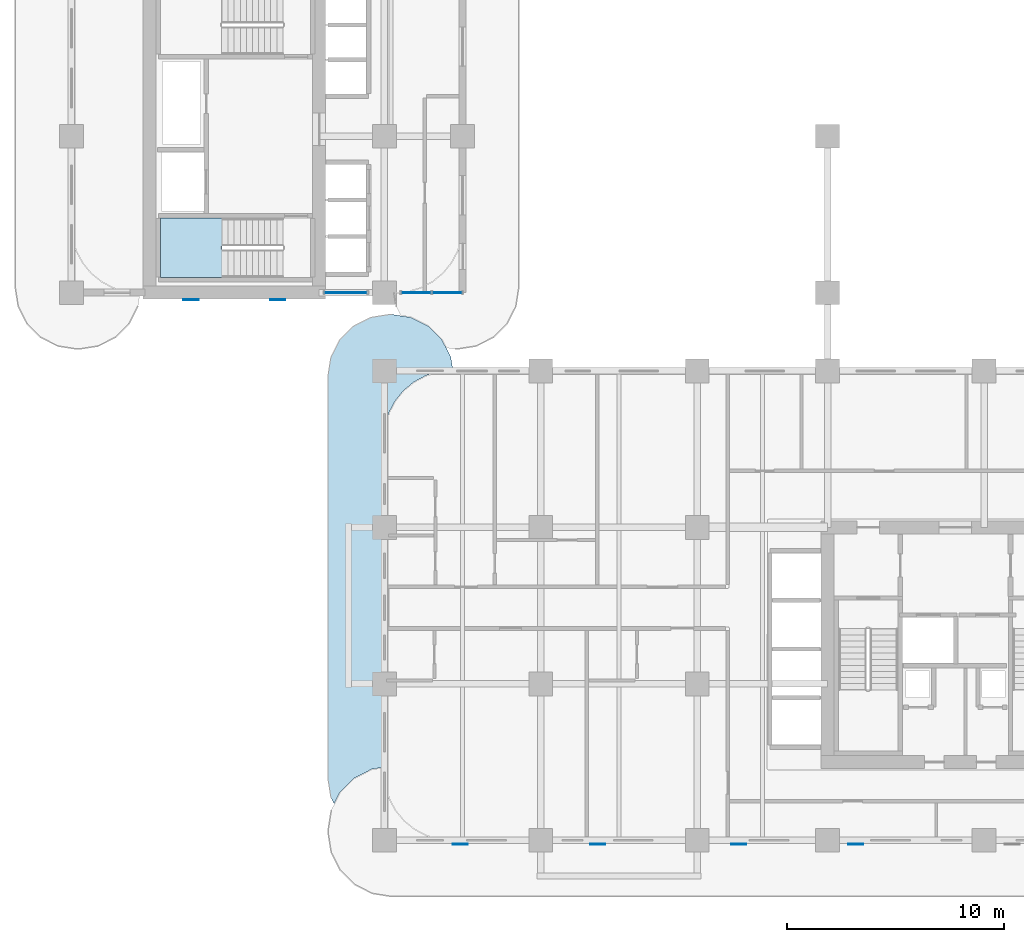
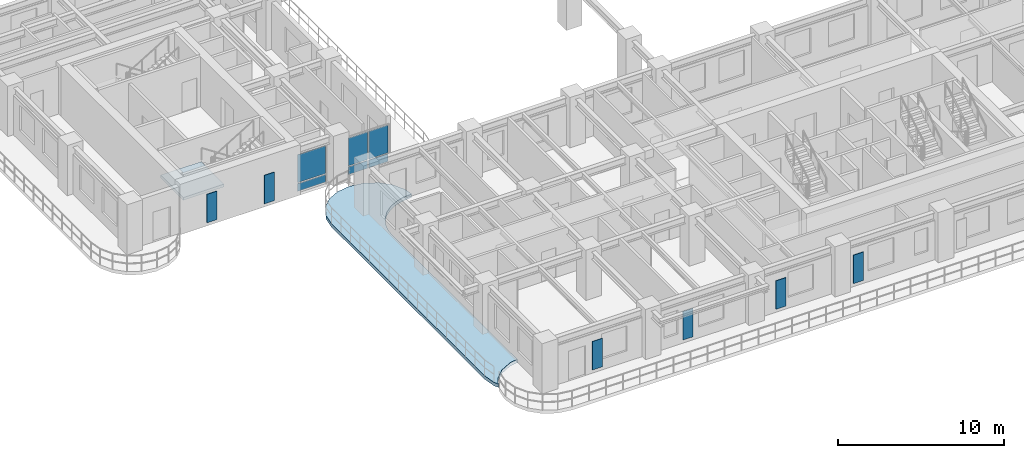
# One storey, part 4 of 19: 12 plates, 2 slabs, 3 elements without a shape of their own.
"""IFC4 building model written with IfcOpenShell, lengths in metres."""

from ifc_helpers import new_model, si_unit, derived_unit, direction, frame, origin, origin_2d, place, context, subcontext, project, spatial, polyline, rectangle, outline, extrude, source, transform, mapped, material, layer, layer_set, type_object, type_shapes, element, aggregate, save


model = new_model("IFC4")

# Units and contexts
model_context = context("Model", 3, precision=1e-05, world=origin(), true_north=direction((0.0, 1.0)))
body_context = subcontext(model_context, "Body", "Model", "MODEL_VIEW")
ifc_project = project(units=[si_unit("LENGTHUNIT", "METRE"), si_unit("AREAUNIT", "SQUARE_METRE"), si_unit("VOLUMEUNIT", "CUBIC_METRE"), si_unit("PLANEANGLEUNIT", "RADIAN"), si_unit("MASSUNIT", "GRAM", prefix="KILO"), si_unit("THERMODYNAMICTEMPERATUREUNIT", "KELVIN"), si_unit("POWERUNIT", "WATT"), derived_unit("THERMALTRANSMITTANCEUNIT", [(si_unit("POWERUNIT", "WATT"), 1), (si_unit("AREAUNIT", "SQUARE_METRE"), -1), (si_unit("THERMODYNAMICTEMPERATUREUNIT", "KELVIN"), -1)])], contexts=[model_context])

# Site, building, storey
site_placement = place(None, origin())
site = spatial("IfcSite", under=ifc_project, at=site_placement, CompositionType="ELEMENT")
building_placement = place(site_placement, origin())
building = spatial("IfcBuilding", under=site, at=building_placement, Name="Zahravan Archway Hotel and Residences", CompositionType="ELEMENT")
storey_placement = place(building_placement, frame((0.0, 0.0, 39.800048828125)))
storey = spatial("IfcBuildingStorey", under=building, at=storey_placement, Name="L08", CompositionType="ELEMENT", Elevation=39.800048828125)

# Slab
ifc_material_1 = material(Name="Concrete C45/55", Category="concrete")
ifc_layer_1 = layer(ifc_material_1, 0.25, Name="Concrete C45/55", Category="concrete")
ifc_layer_set_1 = layer_set([ifc_layer_1], Name="Concrete C45/55")
slab_type_1 = type_object("IfcSlabType", Name="SLB-BALC-250", PredefinedType="FLOOR", material=ifc_layer_set_1)
slab_1_placement = place(storey_placement, frame((0.0, 0.0, -0.25)))
element("IfcSlab", 1, at=slab_1_placement, inside=storey, type_object=slab_type_1, Name="L08 Wing A West Rounded Balcony Band", PredefinedType="FLOOR", context=body_context, shape_type="SweptSolid", body=[
    extrude(outline(polyline([(11.939453125, 1.96923828125), (11.800048828125, 2.85009765625), (11.800048828125, 21.35009765625), (11.939453125, 22.230712890625), (12.34423828125, 23.025146484375), (12.974853515625, 23.65576171875), (13.769287109375, 24.060546875), (14.64990234375, 24.199951171875), (14.75, 24.199951171875), (15.630615234375, 24.060546875), (16.42529296875, 23.65576171875), (17.0556640625, 23.025146484375), (17.46044921875, 22.230712890625), (17.55712890625, 21.6201171875), (17.5, 21.6201171875), (17.498046875, 21.619873046875), (16.893310546875, 21.560302734375), (16.891357421875, 21.56005859375), (16.889404296875, 21.5595703125), (16.307861328125, 21.383056640625), (16.305908203125, 21.382568359375), (16.30419921875, 21.381591796875), (15.768310546875, 21.09521484375), (15.7666015625, 21.09423828125), (15.764892578125, 21.093017578125), (15.29541015625, 20.70751953125), (15.2939453125, 20.7060546875), (15.29248046875, 20.70458984375), (14.906982421875, 20.235107421875), (14.90576171875, 20.2333984375), (14.90478515625, 20.231689453125), (14.618408203125, 19.69580078125), (14.617431640625, 19.694091796875), (14.616943359375, 19.692138671875), (14.4404296875, 19.110595703125), (14.43994140625, 19.108642578125), (14.439697265625, 19.106689453125), (14.380126953125, 18.501953125), (14.3798828125, 18.5), (14.3798828125, 3.361328125), (14.37890625, 3.361328125), (14.376953125, 3.361083984375), (13.835205078125, 3.275390625), (13.833251953125, 3.27490234375), (13.831298828125, 3.2744140625), (13.829345703125, 3.2734375), (13.0068359375, 2.8544921875), (13.005126953125, 2.853515625), (13.00341796875, 2.85205078125), (13.001953125, 2.8505859375), (12.349365234375, 2.197998046875), (12.347900390625, 2.196533203125), (12.3466796875, 2.19482421875), (12.345703125, 2.193115234375), (12.08544921875, 1.6826171875), (11.939453125, 1.96923828125)])), origin(), (0.0, 0.0, 1.0), 0.25),
])

# Stair, slab
ifc_material_2 = material(Name="Concrete C50/60", Category="concrete")
stair_type = type_object("IfcStairType", Name="STR-CORE-1300", PredefinedType="HALF_TURN_STAIR", material=ifc_material_2)
stair_placement = place(storey_placement, origin())
stair = element("IfcStair", 2, at=stair_placement, inside=storey, type_object=stair_type, Name="L08 Core B Exit Stair 1", PredefinedType="HALF_TURN_STAIR")
ifc_layer_2 = layer(ifc_material_2, 0.199951171875, Name="Concrete C50/60", Category="concrete")
ifc_layer_set_2 = layer_set([ifc_layer_2], Name="Concrete C50/60")
slab_type_2 = type_object("IfcSlabType", Name="SLB-LND-200", PredefinedType="LANDING", material=ifc_layer_set_2)
slab_2_placement = place(storey_placement, frame((0.0, 0.0, 1.64990234375)))
slab_2 = element("IfcSlab", 3, at=slab_2_placement, type_object=slab_type_2, Name="ST-B1 landing 1", PredefinedType="LANDING", context=body_context, shape_type="SweptSolid", body=[
    extrude(outline(polyline([(6.929931640625, 28.639892578125), (4.10009765625, 28.639892578125), (4.10009765625, 25.89990234375), (6.929931640625, 25.89990234375), (6.929931640625, 28.639892578125)])), origin(), (0.0, 0.0, 1.0), 0.199951171875),
])
aggregate(stair, [slab_2])

# Plates
ifc_material_3 = material(Name="Perforated Cast Bronze Jali Lattice")
ifc_layer_3 = layer(ifc_material_3, 0.044921875, Name="Perforated Cast Bronze Jali Lattice")
ifc_layer_set_3 = layer_set([ifc_layer_3], Name="Perforated Cast Bronze Jali Lattice")
plate_type_1 = type_object("IfcPlateType", Name="PLT-JALI-BAY", PredefinedType="USERDEFINED", material=ifc_layer_set_3)
shared_shape_1 = source(origin(), body_context, "Body", "SweptSolid", [
    extrude(rectangle(XDim=0.699951171875, YDim=0.044921875, at=origin_2d()), origin(), (0.0, 0.0, 1.0), 2.10009765625),
])
type_shapes(plate_type_1, [shared_shape_1])
for number, where, z_axis, x_axis, name in (
    (4, (5.5, 24.882080078125, 0.25), (0.0, 0.0, 1.0), (1.0, 0.0, 0.0), "L08 Core B South Mughal Jali Screen 1"),
    (5, (9.5, 24.882080078125, 0.25), (0.0, 0.0, 1.0), (1.0, 0.0, 0.0), "L08 Core B South Mughal Jali Screen 2"),
    (6, (17.89990234375, -0.177978515625, 0.25), (0.0, 0.0, 1.0), (1.0, 0.0, 0.0), "L08 Perforated Bronze Jali Pier Screen 01"),
    (7, (24.22802734375, -0.177978515625, 0.25), (0.0, 0.0, 1.0), (1.0, 0.0, 0.0), "L08 Perforated Bronze Jali Pier Screen 02"),
    (8, (30.7080078125, -0.177978515625, 0.25), (0.0, 0.0, 1.0), (1.0, 0.0, 0.0), "L08 Perforated Bronze Jali Pier Screen 03"),
    (9, (36.10009765625, -0.177978515625, 0.25), (0.0, 0.0, 1.0), (1.0, 0.0, 0.0), "L08 Perforated Bronze Jali Pier Screen 04"),
):
    element("IfcPlate", number, at=place(storey_placement, frame(where, z_axis=z_axis, x_axis=x_axis)), inside=storey, type_object=plate_type_1, Name=name, ObjectType="SCREEN", PredefinedType="USERDEFINED", context=body_context, shape_type="MappedRepresentation", body=[
        mapped(shared_shape_1, transform((0.0, 0.0, 0.0), scale=1.0)),
    ])

# Curtain wall, plates
ifc_material_4 = material(Name="Bronze-Anodized Unitised Aluminium & Low-E Glass", Category="aluminium")
ifc_layer_4 = layer(ifc_material_4, 0.179931640625, Name="Bronze-Anodized Unitised Aluminium & Low-E Glass", Category="aluminium")
ifc_layer_set_4 = layer_set([ifc_layer_4], Name="Bronze-Anodized Unitised Aluminium & Low-E Glass")
curtain_wall_type = type_object("IfcCurtainWallType", Name="CW-TWR-FEAT", PredefinedType="NOTDEFINED", material=ifc_layer_set_4)
curtain_wall_1_placement = place(storey_placement, origin())
curtain_wall_1 = element("IfcCurtainWall", 10, at=curtain_wall_1_placement, inside=storey, type_object=curtain_wall_type, Name="L08 Curtain Wall CW-L08-WB-SE-1", PredefinedType="NOTDEFINED")
ifc_material_5 = material(Name="Insulated Terracotta Spandrel Panel", Category="masonry")
ifc_layer_5 = layer(ifc_material_5, 0.0400390625, Name="Insulated Terracotta Spandrel Panel", Category="masonry")
ifc_layer_set_5 = layer_set([ifc_layer_5], Name="Insulated Terracotta Spandrel Panel")
plate_type_2 = type_object("IfcPlateType", Name="CWP-SPN-40", PredefinedType="SHEET", material=ifc_layer_set_5)
shared_shape_2 = source(origin(), body_context, "Body", "SweptSolid", [
    extrude(rectangle(XDim=1.93994140625, YDim=0.0400390625, at=origin_2d()), origin(), (0.0, 0.0, 1.0), 0.552490234375),
])
plate_1_placement = place(storey_placement, frame((12.6298828125, 25.199951171875, 0.10009765625), z_axis=(0.0, 0.0, 1.0), x_axis=(1.0, 0.0, 0.0)))
plate_1 = element("IfcPlate", 11, at=plate_1_placement, type_object=plate_type_2, Name="CW-L08-WB-SE-1 Spandrel Panel 0", PredefinedType="SHEET", context=body_context, shape_type="MappedRepresentation", body=[
    mapped(shared_shape_2, transform((0.0, 0.0, 0.0), scale=1.0)),
])
ifc_material_6 = material(Name="Double-Silver Low-E Insulated Vision Glass", Category="glass")
ifc_layer_6 = layer(ifc_material_6, 0.028076171875, Name="Double-Silver Low-E Insulated Vision Glass", Category="glass")
ifc_layer_set_6 = layer_set([ifc_layer_6], Name="Double-Silver Low-E Insulated Vision Glass")
plate_type_3 = type_object("IfcPlateType", Name="CWP-GLZ-28", PredefinedType="CURTAIN_PANEL", material=ifc_layer_set_6)
shared_shape_3 = source(origin(), body_context, "Body", "SweptSolid", [
    extrude(rectangle(XDim=1.93994140625, YDim=0.028076171875, at=origin_2d()), origin(), (0.0, 0.0, 1.0), 2.052490234375),
])
plate_2_placement = place(storey_placement, frame((12.6298828125, 25.199951171875, 0.732421875), z_axis=(0.0, 0.0, 1.0), x_axis=(1.0, 0.0, 0.0)))
plate_2 = element("IfcPlate", 12, at=plate_2_placement, type_object=plate_type_3, Name="CW-L08-WB-SE-1 Low-E Vision Panel 0", PredefinedType="CURTAIN_PANEL", context=body_context, shape_type="MappedRepresentation", body=[
    mapped(shared_shape_3, transform((0.0, 0.0, 0.0), scale=1.0)),
])
aggregate(curtain_wall_1, [plate_1, plate_2])

curtain_wall_2_placement = place(storey_placement, origin())
curtain_wall_2 = element("IfcCurtainWall", 13, at=curtain_wall_2_placement, inside=storey, type_object=curtain_wall_type, Name="L08 Curtain Wall CW-L08-WB-SE-2", PredefinedType="NOTDEFINED")
shared_shape_4 = source(origin(), body_context, "Body", "SweptSolid", [
    extrude(rectangle(XDim=1.340087890625, YDim=0.0400390625, at=origin_2d()), origin(), (0.0, 0.0, 1.0), 0.552490234375),
])
plate_3_placement = place(storey_placement, frame((15.8701171875, 25.199951171875, 0.10009765625), z_axis=(0.0, 0.0, 1.0), x_axis=(1.0, 0.0, 0.0)))
plate_3 = element("IfcPlate", 14, at=plate_3_placement, type_object=plate_type_2, Name="CW-L08-WB-SE-2 Spandrel Panel 0", PredefinedType="SHEET", context=body_context, shape_type="MappedRepresentation", body=[
    mapped(shared_shape_4, transform((0.0, 0.0, 0.0), scale=1.0)),
])
plate_4_placement = place(storey_placement, frame((17.2900390625, 25.199951171875, 0.10009765625), z_axis=(0.0, 0.0, 1.0), x_axis=(1.0, 0.0, 0.0)))
plate_4 = element("IfcPlate", 15, at=plate_4_placement, type_object=plate_type_2, Name="CW-L08-WB-SE-2 Spandrel Panel 1", PredefinedType="SHEET", context=body_context, shape_type="MappedRepresentation", body=[
    mapped(shared_shape_4, transform((0.0, 0.0, 0.0), scale=1.0)),
])
shared_shape_5 = source(origin(), body_context, "Body", "SweptSolid", [
    extrude(rectangle(XDim=1.340087890625, YDim=0.028076171875, at=origin_2d()), origin(), (0.0, 0.0, 1.0), 2.052490234375),
])
plate_5_placement = place(storey_placement, frame((15.8701171875, 25.199951171875, 0.732421875), z_axis=(0.0, 0.0, 1.0), x_axis=(1.0, 0.0, 0.0)))
plate_5 = element("IfcPlate", 16, at=plate_5_placement, type_object=plate_type_3, Name="CW-L08-WB-SE-2 Low-E Vision Panel 0", PredefinedType="CURTAIN_PANEL", context=body_context, shape_type="MappedRepresentation", body=[
    mapped(shared_shape_5, transform((0.0, 0.0, 0.0), scale=1.0)),
])
plate_6_placement = place(storey_placement, frame((17.2900390625, 25.199951171875, 0.732421875), z_axis=(0.0, 0.0, 1.0), x_axis=(1.0, 0.0, 0.0)))
plate_6 = element("IfcPlate", 17, at=plate_6_placement, type_object=plate_type_3, Name="CW-L08-WB-SE-2 Low-E Vision Panel 1", PredefinedType="CURTAIN_PANEL", context=body_context, shape_type="MappedRepresentation", body=[
    mapped(shared_shape_5, transform((0.0, 0.0, 0.0), scale=1.0)),
])
aggregate(curtain_wall_2, [plate_3, plate_5, plate_4, plate_6])

save(model, "model.ifc")
